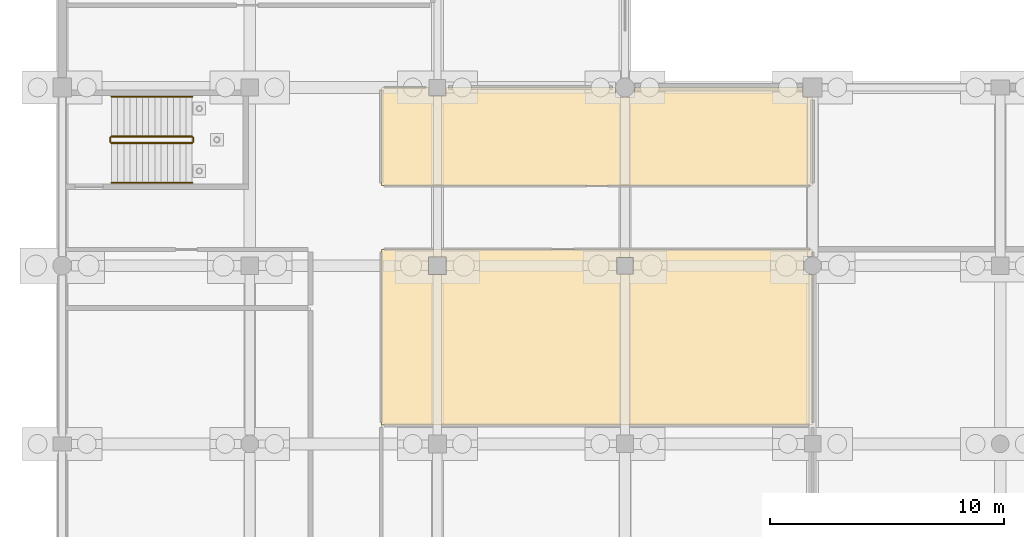
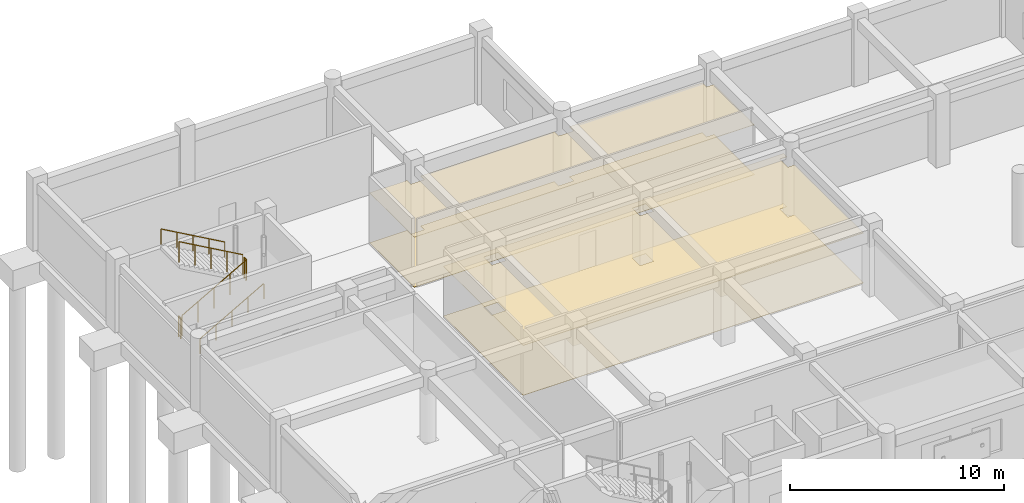
# One storey, part 9 of 11: 6 railings, 4 coverings.
"""IFC4 building model written with IfcOpenShell, lengths in metres."""

from ifc_helpers import new_model, si_unit, direction, frame, origin, origin_2d, place, context, subcontext, project, spatial, polyline, circle, outline, extrude, material, layer, layer_set, type_object, element, save


model = new_model("IFC4")

# Units and contexts
model_context = context("Model", 3, precision=1e-05, world=origin(), true_north=direction((0.0, 1.0)))
body_context = subcontext(model_context, "Body", "Model", "MODEL_VIEW")
ifc_project = project(units=[si_unit("LENGTHUNIT", "METRE"), si_unit("AREAUNIT", "SQUARE_METRE"), si_unit("VOLUMEUNIT", "CUBIC_METRE"), si_unit("PLANEANGLEUNIT", "RADIAN"), si_unit("MASSUNIT", "GRAM", prefix="KILO")], contexts=[model_context])

# Site, building, storey
site_placement = place(None, origin())
site = spatial("IfcSite", under=ifc_project, at=site_placement, CompositionType="ELEMENT")
building_placement = place(site_placement, origin())
building = spatial("IfcBuilding", under=site, at=building_placement, Name="Kharva Crest Polytechnic", CompositionType="ELEMENT")
storey_placement = place(building_placement, frame((0.0, 0.0, -4.199951171875)))
storey = spatial("IfcBuildingStorey", under=building, at=storey_placement, Name="LG", CompositionType="ELEMENT", Elevation=-4.199951171875)

# Coverings
ifc_material_1 = material(Name="Acoustic mineral board")
ifc_layer_1 = layer(ifc_material_1, 0.02490234375, Name="Acoustic mineral board")
ifc_layer_set_1 = layer_set([ifc_layer_1], Name="Acoustic mineral board")
covering_type_1 = type_object("IfcCoveringType", Name="COV-CLG-ACOUSTIC", PredefinedType="CEILING", material=ifc_layer_set_1)
covering_1_placement = place(storey_placement, frame((0.0, 0.0, 2.849853515625)))
element("IfcCovering", 1, at=covering_1_placement, inside=storey, type_object=covering_type_1, Name="LG Student Union Storage Room Acoustic Ceiling", PredefinedType="CEILING", context=body_context, shape_type="SweptSolid", body=[
    extrude(outline(polyline([(152.800048828125, 23.18505859375), (152.4150390625, 23.18505859375), (152.4150390625, 22.4150390625), (152.800048828125, 22.4150390625), (152.800048828125, 16.010009765625), (134.409912109375, 16.010009765625), (134.409912109375, 23.489990234375), (152.800048828125, 23.489990234375), (152.800048828125, 23.18505859375)]), holes=[polyline([(137.179931640625, 23.179931640625), (136.419921875, 23.179931640625), (136.419921875, 22.419921875), (137.179931640625, 22.419921875), (137.179931640625, 23.179931640625)]), polyline([(145.159912109375, 22.43994140625), (145.159912109375, 23.159912109375), (144.43994140625, 23.159912109375), (144.43994140625, 22.43994140625), (145.159912109375, 22.43994140625)])]), origin(), (0.0, 0.0, 1.0), 0.025146484375),
])
covering_2_placement = place(storey_placement, frame((0.0, 0.0, 2.849853515625)))
element("IfcCovering", 2, at=covering_2_placement, inside=storey, type_object=covering_type_1, Name="LG Male Female and Accessible WC LG Acoustic Ceiling", PredefinedType="CEILING", context=body_context, shape_type="SweptSolid", body=[
    extrude(outline(polyline([(136.43994140625, 30.39990234375), (136.43994140625, 30.0400390625), (137.159912109375, 30.0400390625), (137.159912109375, 30.39990234375), (144.389892578125, 30.39990234375), (144.389892578125, 29.989990234375), (145.2099609375, 29.989990234375), (145.2099609375, 30.39990234375), (152.389892578125, 30.39990234375), (152.389892578125, 29.989990234375), (152.800048828125, 29.989990234375), (152.800048828125, 26.2099609375), (134.409912109375, 26.2099609375), (134.409912109375, 30.39990234375), (136.43994140625, 30.39990234375)])), origin(), (0.0, 0.0, 1.0), 0.025146484375),
])
ifc_material_2 = material(Name="Terrazzo tile")
ifc_layer_2 = layer(ifc_material_2, 0.02001953125, Name="Terrazzo tile")
ifc_layer_set_2 = layer_set([ifc_layer_2], Name="Terrazzo tile")
covering_type_2 = type_object("IfcCoveringType", Name="COV-FLR-TERRAZZO", PredefinedType="FLOORING", material=ifc_layer_set_2)
covering_3_placement = place(storey_placement, origin())
element("IfcCovering", 3, at=covering_3_placement, inside=storey, type_object=covering_type_2, Name="LG Student Union Storage Room Terrazzo Flooring", PredefinedType="FLOORING", context=body_context, shape_type="SweptSolid", body=[
    extrude(outline(polyline([(152.800048828125, 23.18505859375), (152.4150390625, 23.18505859375), (152.4150390625, 22.4150390625), (152.800048828125, 22.4150390625), (152.800048828125, 16.010009765625), (134.409912109375, 16.010009765625), (134.409912109375, 23.489990234375), (152.800048828125, 23.489990234375), (152.800048828125, 23.18505859375)]), holes=[polyline([(137.179931640625, 23.179931640625), (136.419921875, 23.179931640625), (136.419921875, 22.419921875), (137.179931640625, 22.419921875), (137.179931640625, 23.179931640625)]), polyline([(145.159912109375, 22.43994140625), (145.159912109375, 23.159912109375), (144.43994140625, 23.159912109375), (144.43994140625, 22.43994140625), (145.159912109375, 22.43994140625)])]), origin(), (0.0, 0.0, 1.0), 0.02001953125),
])
covering_4_placement = place(storey_placement, origin())
element("IfcCovering", 4, at=covering_4_placement, inside=storey, type_object=covering_type_2, Name="LG Male Female and Accessible WC LG Terrazzo Flooring", PredefinedType="FLOORING", context=body_context, shape_type="SweptSolid", body=[
    extrude(outline(polyline([(136.43994140625, 30.39990234375), (136.43994140625, 30.0400390625), (137.159912109375, 30.0400390625), (137.159912109375, 30.39990234375), (144.389892578125, 30.39990234375), (144.389892578125, 29.989990234375), (145.2099609375, 29.989990234375), (145.2099609375, 30.39990234375), (152.389892578125, 30.39990234375), (152.389892578125, 29.989990234375), (152.800048828125, 29.989990234375), (152.800048828125, 26.2099609375), (134.409912109375, 26.2099609375), (134.409912109375, 30.39990234375), (136.43994140625, 30.39990234375)])), origin(), (0.0, 0.0, 1.0), 0.02001953125),
])

# Railings
ifc_material_3 = material(Name="Anodised aluminium", Category="aluminium")
railing_type_1 = type_object("IfcRailingType", Name="RL-STAIR-GUARD-1200", PredefinedType="GUARDRAIL", material=ifc_material_3)
railing_1_placement = place(storey_placement, frame((122.89990234375, 28.030029296875, 0.14990234375)))
element("IfcRailing", 5, at=railing_1_placement, inside=storey, type_object=railing_type_1, Name="LG ST-07 stair guard 1", PredefinedType="GUARDRAIL", context=body_context, shape_type="SweptSolid", body=[
    extrude(circle(Radius=0.02392578125, at=origin_2d()), frame((0.0, 0.0, 1.17578125), z_axis=(0.870266332817, 0.0, 0.492581475459), x_axis=(0.0, 1.0, 0.0)), (0.0, 0.0, 1.0), 3.958740234375),
    extrude(circle(Radius=0.02099609375, at=origin_2d()), origin(), (0.0, 0.0, 1.0), 1.15185546875),
    extrude(circle(Radius=0.02099609375, at=origin_2d()), frame((0.861328125, 0.0, 0.487548828125)), (0.0, 0.0, 1.0), 1.15185546875),
    extrude(circle(Radius=0.02099609375, at=origin_2d()), frame((1.72265625, 0.0, 0.97509765625)), (0.0, 0.0, 1.0), 1.15185546875),
    extrude(circle(Radius=0.02099609375, at=origin_2d()), frame((2.583740234375, 0.0, 1.46240234375)), (0.0, 0.0, 1.0), 1.15185546875),
    extrude(circle(Radius=0.02099609375, at=origin_2d()), frame((3.445068359375, 0.0, 1.949951171875)), (0.0, 0.0, 1.0), 1.15185546875),
])
railing_2_placement = place(storey_placement, frame((126.39501953125, 28.080078125, 2.099853515625)))
element("IfcRailing", 6, at=railing_2_placement, inside=storey, type_object=railing_type_1, Name="LG ST-07 stair guard 2", PredefinedType="GUARDRAIL", context=body_context, shape_type="SweptSolid", body=[
    extrude(circle(Radius=0.02392578125, at=origin_2d()), frame((0.0, 0.0, 1.17578125), z_axis=(0.0, 1.0, 0.0), x_axis=(-1.0, 0.0, 0.0)), (0.0, 0.0, 1.0), 0.179931640625),
    extrude(circle(Radius=0.02099609375, at=origin_2d()), origin(), (0.0, 0.0, 1.0), 1.15185546875),
    extrude(circle(Radius=0.02099609375, at=origin_2d()), frame((0.0, 0.179931640625, 0.0)), (0.0, 0.0, 1.0), 1.15185546875),
])
railing_3_placement = place(storey_placement, frame((126.344970703125, 28.31005859375, 2.25)))
element("IfcRailing", 7, at=railing_3_placement, inside=storey, type_object=railing_type_1, Name="LG ST-07 stair guard 3", PredefinedType="GUARDRAIL", context=body_context, shape_type="SweptSolid", body=[
    extrude(circle(Radius=0.02392578125, at=origin_2d()), frame((0.0, 0.0, 1.17578125), z_axis=(-0.870266332817, 0.0, 0.492581475459), x_axis=(0.0, -1.0, 0.0)), (0.0, 0.0, 1.0), 3.958740234375),
    extrude(circle(Radius=0.02099609375, at=origin_2d()), origin(), (0.0, 0.0, 1.0), 1.15185546875),
    extrude(circle(Radius=0.02099609375, at=origin_2d()), frame((-0.861328125, 0.0, 0.487548828125)), (0.0, 0.0, 1.0), 1.15185546875),
    extrude(circle(Radius=0.02099609375, at=origin_2d()), frame((-1.72265625, 0.0, 0.97509765625)), (0.0, 0.0, 1.0), 1.15185546875),
    extrude(circle(Radius=0.02099609375, at=origin_2d()), frame((-2.583740234375, 0.0, 1.46240234375)), (0.0, 0.0, 1.0), 1.15185546875),
    extrude(circle(Radius=0.02099609375, at=origin_2d()), frame((-3.445068359375, 0.0, 1.949951171875)), (0.0, 0.0, 1.0), 1.15185546875),
])
railing_4_placement = place(storey_placement, frame((122.85009765625, 28.080078125, 0.0)))
element("IfcRailing", 8, at=railing_4_placement, inside=storey, type_object=railing_type_1, Name="LG ST-07 stair guard 4", PredefinedType="GUARDRAIL", context=body_context, shape_type="SweptSolid", body=[
    extrude(circle(Radius=0.02392578125, at=origin_2d()), frame((0.0, 0.0, 1.17578125), z_axis=(0.0, 1.0, 0.0), x_axis=(-1.0, 0.0, 0.0)), (0.0, 0.0, 1.0), 0.179931640625),
    extrude(circle(Radius=0.02099609375, at=origin_2d()), origin(), (0.0, 0.0, 1.0), 1.15185546875),
    extrude(circle(Radius=0.02099609375, at=origin_2d()), frame((0.0, 0.179931640625, 0.0)), (0.0, 0.0, 1.0), 1.15185546875),
])
ifc_material_4 = material(Name="Teak timber", Category="wood")
railing_type_2 = type_object("IfcRailingType", Name="RL-STAIR-HAND-900", PredefinedType="HANDRAIL", material=ifc_material_4)
railing_5_placement = place(storey_placement, frame((122.89990234375, 26.340087890625, 0.14990234375)))
element("IfcRailing", 9, at=railing_5_placement, inside=storey, type_object=railing_type_2, Name="LG ST-07 stair handrail 1", PredefinedType="HANDRAIL", context=body_context, shape_type="SweptSolid", body=[
    extrude(circle(Radius=0.02392578125, at=origin_2d()), frame((0.0, 0.0, 0.8759765625), z_axis=(0.870266332817, 0.0, 0.492581475459), x_axis=(0.0, 1.0, 0.0)), (0.0, 0.0, 1.0), 3.958740234375),
    extrude(circle(Radius=0.02099609375, at=origin_2d()), origin(), (0.0, 0.0, 1.0), 0.851806640625),
    extrude(circle(Radius=0.02099609375, at=origin_2d()), frame((0.861328125, 0.0, 0.487548828125)), (0.0, 0.0, 1.0), 0.851806640625),
    extrude(circle(Radius=0.02099609375, at=origin_2d()), frame((1.72265625, 0.0, 0.97509765625)), (0.0, 0.0, 1.0), 0.851806640625),
    extrude(circle(Radius=0.02099609375, at=origin_2d()), frame((2.583740234375, 0.0, 1.46240234375)), (0.0, 0.0, 1.0), 0.851806640625),
    extrude(circle(Radius=0.02099609375, at=origin_2d()), frame((3.445068359375, 0.0, 1.949951171875)), (0.0, 0.0, 1.0), 0.851806640625),
])
railing_6_placement = place(storey_placement, frame((126.344970703125, 30.0, 2.25)))
element("IfcRailing", 10, at=railing_6_placement, inside=storey, type_object=railing_type_2, Name="LG ST-07 stair handrail 2", PredefinedType="HANDRAIL", context=body_context, shape_type="SweptSolid", body=[
    extrude(circle(Radius=0.02392578125, at=origin_2d()), frame((0.0, 0.0, 0.8759765625), z_axis=(-0.870266332817, 0.0, 0.492581475459), x_axis=(0.0, -1.0, 0.0)), (0.0, 0.0, 1.0), 3.958740234375),
    extrude(circle(Radius=0.02099609375, at=origin_2d()), origin(), (0.0, 0.0, 1.0), 0.851806640625),
    extrude(circle(Radius=0.02099609375, at=origin_2d()), frame((-0.861328125, 0.0, 0.487548828125)), (0.0, 0.0, 1.0), 0.851806640625),
    extrude(circle(Radius=0.02099609375, at=origin_2d()), frame((-1.72265625, 0.0, 0.97509765625)), (0.0, 0.0, 1.0), 0.851806640625),
    extrude(circle(Radius=0.02099609375, at=origin_2d()), frame((-2.583740234375, 0.0, 1.46240234375)), (0.0, 0.0, 1.0), 0.851806640625),
    extrude(circle(Radius=0.02099609375, at=origin_2d()), frame((-3.445068359375, 0.0, 1.949951171875)), (0.0, 0.0, 1.0), 0.851806640625),
])

save(model, "model.ifc")
